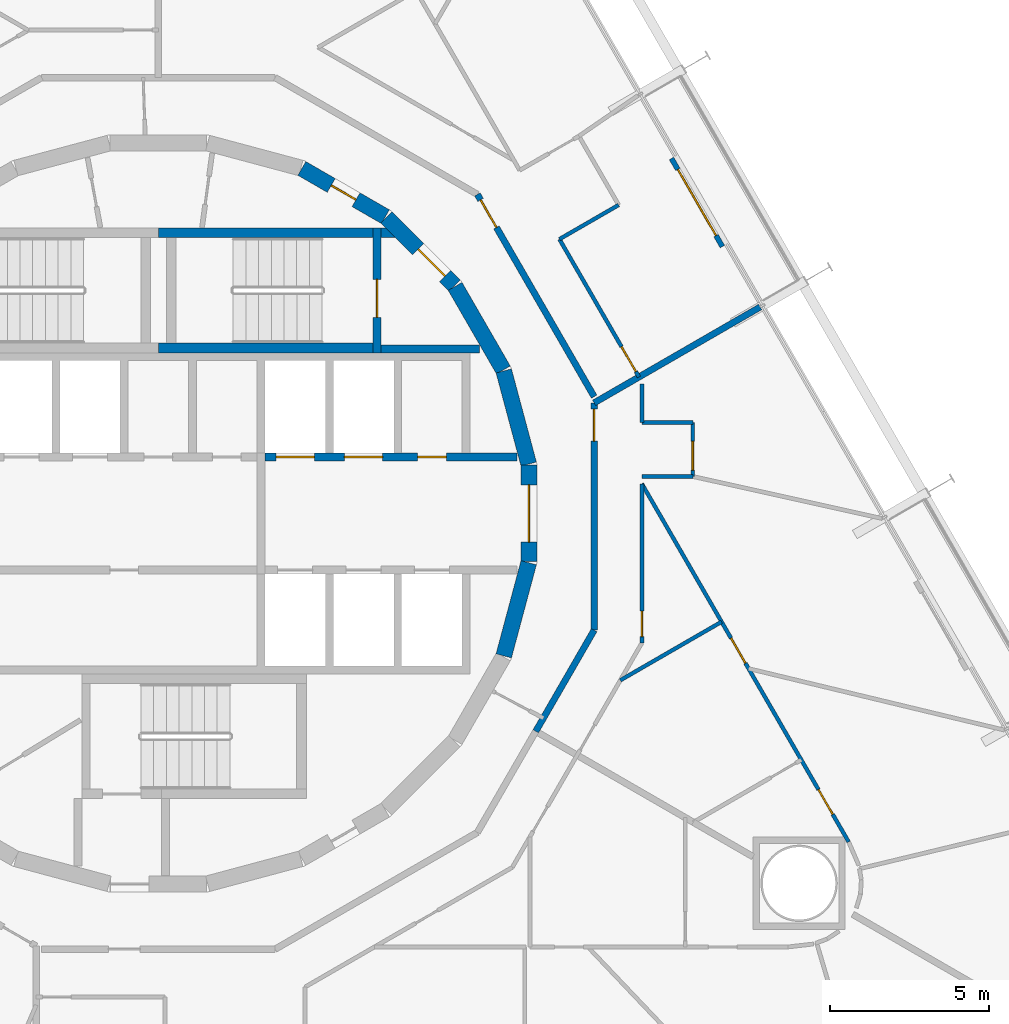
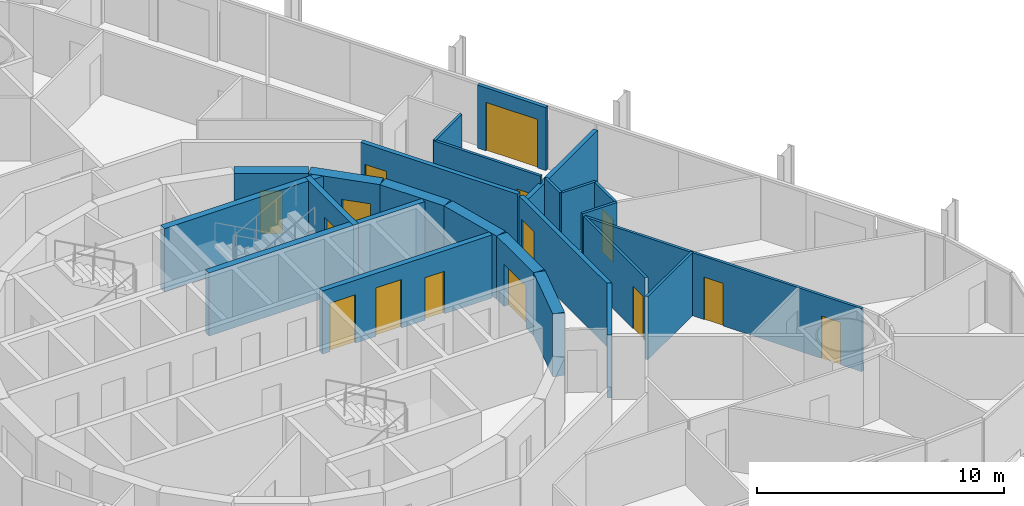
# One storey, part 17 of 21: 26 walls, 15 doors, 15 openings.
"""IFC4 building model written with IfcOpenShell, lengths in metres."""

from ifc_helpers import new_model, si_unit, direction, frame, frame_2d, origin, place, context, subcontext, project, spatial, polyline, rectangle, outline, extrude, material, layer, layer_set, type_object, element, fill, save


model = new_model("IFC4")

# Units and contexts
model_context = context("Model", 3, precision=1e-05, world=origin(), true_north=direction((0.0, 1.0)))
body_context = subcontext(model_context, "Body", "Model", "MODEL_VIEW")
ifc_project = project(units=[si_unit("LENGTHUNIT", "METRE"), si_unit("AREAUNIT", "SQUARE_METRE"), si_unit("VOLUMEUNIT", "CUBIC_METRE"), si_unit("PLANEANGLEUNIT", "RADIAN"), si_unit("MASSUNIT", "GRAM", prefix="KILO")], contexts=[model_context])

# Site, building, storey
site_placement = place(None, origin())
site = spatial("IfcSite", under=ifc_project, at=site_placement, CompositionType="ELEMENT")
building_placement = place(site_placement, origin())
building = spatial("IfcBuilding", under=site, at=building_placement, Name="Spindle Arch Residences", CompositionType="ELEMENT")
storey_placement = place(building_placement, frame((0.0, 0.0, 48.89990234375)))
storey = spatial("IfcBuildingStorey", under=building, at=storey_placement, Name="L10", CompositionType="ELEMENT", Elevation=48.89990234375)

# Wall
ifc_material_1 = material(Name="Concrete C50/60", Category="concrete")
ifc_layer_1 = layer(ifc_material_1, 0.5)
ifc_layer_set_1 = layer_set([ifc_layer_1], Name="Core outline wall 500")
wall_type_1 = type_object("IfcWallType", Name="Core outline wall 500", PredefinedType="SHEAR", material=ifc_layer_set_1)
wall_1_placement = place(storey_placement, frame((10.858154296875, -4.479248046875, 0.0), z_axis=(0.0, 0.0, 1.0), x_axis=(0.258734743916, 0.965948410781, 0.0)))
element("IfcWall", 1, at=wall_1_placement, inside=storey, type_object=wall_type_1, Name="Core outline wall 5", PredefinedType="SHEAR", context=body_context, shape_type="SweptSolid", body=[
    extrude(rectangle(XDim=3.03271484375, YDim=0.5, at=frame_2d((1.516357421875, 0.0))), origin(), (0.0, 0.0, 1.0), 3.1201171875),
])

# Wall, opening, door
wall_2_placement = place(storey_placement, frame((11.647216796875, -1.516357421875, 0.0), z_axis=(0.0, 0.0, 1.0), x_axis=(0.0, 1.0, 0.0)))
wall_2 = element("IfcWall", 2, at=wall_2_placement, inside=storey, type_object=wall_type_1, Name="Core outline wall 6", PredefinedType="SHEAR", context=body_context, shape_type="SweptSolid", body=[
    extrude(rectangle(XDim=3.03271484375, YDim=0.5, at=frame_2d((1.516357421875, 0.0))), origin(), (0.0, 0.0, 1.0), 3.1201171875),
])
opening_1_placement = place(wall_2_placement, frame((0.6162109375, 0.0, 0.0)))
opening_1 = element("IfcOpeningElement", 3, at=opening_1_placement, cuts=wall_2, Name="Opening R1B1-FE01", PredefinedType="OPENING", context=body_context, shape_type="SweptSolid", body=[
    extrude(rectangle(XDim=1.800048828125, YDim=2.10009765625, at=frame_2d((0.89990234375, 1.050048828125))), frame((0.0, 0.260009765625, 0.0), z_axis=(0.0, -1.0, 0.0), x_axis=(1.0, 0.0, 0.0)), (0.0, 0.0, 1.0), 0.52001953125),
])
ifc_material_2 = material(Name="Steel, fire-resisting door", Category="steel")
door_type_1 = type_object("IfcDoorType", Name="Fire-lift lobby door 1800x2100", OperationType="DOUBLE_DOOR_SINGLE_SWING", PredefinedType="DOOR", material=ifc_material_2)
door_1_placement = place(opening_1_placement, origin())
door_1 = element("IfcDoor", 4, at=door_1_placement, inside=storey, type_object=door_type_1, Name="Fire-lift lobby door R1B1-FE01", OperationType="DOUBLE_DOOR_SINGLE_SWING", OverallHeight=2.10009765625, OverallWidth=1.800048828125, PredefinedType="DOOR", context=body_context, shape_type="SweptSolid", body=[
    extrude(rectangle(XDim=1.800048828125, YDim=2.10009765625, at=frame_2d((0.89990234375, 1.050048828125))), frame((0.0, 0.02490234375, 0.0), z_axis=(0.0, -1.0, 0.0), x_axis=(1.0, 0.0, 0.0)), (0.0, 0.0, 1.0), 0.050048828125),
])
fill(opening_1, door_1)

# Walls
for number, where, z_axis, x_axis, name in (
    (5, (11.642822265625, 1.5498046875, 0.0), (0.0, 0.0, 1.0), (-0.258734743916, 0.965948410781, 0.0), "Core outline wall 7"),
    (6, (10.84521484375, 4.510498046875, 0.0), (0.0, 0.0, 1.0), (-0.500087131594, 0.865975092491, 0.0), "Core outline wall 8"),
):
    element("IfcWall", number, at=place(storey_placement, frame(where, z_axis=z_axis, x_axis=x_axis)), inside=storey, type_object=wall_type_1, Name=name, PredefinedType="SHEAR", context=body_context, shape_type="SweptSolid", body=[
        extrude(rectangle(XDim=3.03271484375, YDim=0.5, at=frame_2d((1.516357421875, 0.0))), origin(), (0.0, 0.0, 1.0), 3.1201171875),
    ])

# Wall, opening, door
wall_3_placement = place(storey_placement, frame((9.30810546875, 7.163818359375, 0.0), z_axis=(0.0, 0.0, 1.0), x_axis=(-0.707106781187, 0.707106781187, 0.0)))
wall_3 = element("IfcWall", 7, at=wall_3_placement, inside=storey, type_object=wall_type_1, Name="Core outline wall 9", PredefinedType="SHEAR", context=body_context, shape_type="SweptSolid", body=[
    extrude(rectangle(XDim=3.032470703125, YDim=0.5, at=frame_2d((1.51611328125, 0.0))), origin(), (0.0, 0.0, 1.0), 3.1201171875),
])
opening_2_placement = place(wall_3_placement, frame((0.416259765625, 0.0, 0.0)))
opening_2 = element("IfcOpeningElement", 8, at=opening_2_placement, cuts=wall_3, Name="Opening R1B1-AD01", PredefinedType="OPENING", context=body_context, shape_type="SweptSolid", body=[
    extrude(rectangle(XDim=1.199951171875, YDim=2.10009765625, at=frame_2d((0.60009765625, 1.050048828125))), frame((0.0, 0.260009765625, 0.0), z_axis=(0.0, -1.0, 0.0), x_axis=(1.0, 0.0, 0.0)), (0.0, 0.0, 1.0), 0.52001953125),
])
ifc_material_3 = material(Name="Steel, fire-resisting door", Category="steel")
door_type_2 = type_object("IfcDoorType", Name="Stair airlock door 1200x2100", OperationType="SINGLE_SWING_LEFT", PredefinedType="DOOR", material=ifc_material_3)
door_2_placement = place(opening_2_placement, origin())
door_2 = element("IfcDoor", 9, at=door_2_placement, inside=storey, type_object=door_type_2, Name="Stair airlock door R1B1-AD01", OperationType="SINGLE_SWING_RIGHT", OverallHeight=2.10009765625, OverallWidth=1.199951171875, PredefinedType="DOOR", context=body_context, shape_type="SweptSolid", body=[
    extrude(rectangle(XDim=1.199951171875, YDim=2.10009765625, at=frame_2d((0.60009765625, 1.050048828125))), frame((0.0, 0.02490234375, 0.0), z_axis=(0.0, -1.0, 0.0), x_axis=(1.0, 0.0, 0.0)), (0.0, 0.0, 1.0), 0.050048828125),
])
fill(opening_2, door_2)

wall_4_placement = place(storey_placement, frame((7.13671875, 9.32861328125, 0.0), z_axis=(0.0, 0.0, 1.0), x_axis=(-0.865975092491, 0.500087131594, 0.0)))
wall_4 = element("IfcWall", 10, at=wall_4_placement, inside=storey, type_object=wall_type_1, Name="Core outline wall 10", PredefinedType="SHEAR", context=body_context, shape_type="SweptSolid", body=[
    extrude(rectangle(XDim=3.03271484375, YDim=0.5, at=frame_2d((1.516357421875, 0.0))), origin(), (0.0, 0.0, 1.0), 3.1201171875),
])
opening_3_placement = place(wall_4_placement, frame((1.06640625, 0.0, 0.0)))
opening_3 = element("IfcOpeningElement", 11, at=opening_3_placement, cuts=wall_4, Name="Opening R1B1-WD10", PredefinedType="OPENING", context=body_context, shape_type="SweptSolid", body=[
    extrude(rectangle(XDim=0.89990234375, YDim=2.10009765625, at=frame_2d((0.449951171875, 1.050048828125))), frame((0.0, 0.260009765625, 0.0), z_axis=(0.0, -1.0, 0.0), x_axis=(1.0, 0.0, 0.0)), (0.0, 0.0, 1.0), 0.52001953125),
])
ifc_material_4 = material(Name="Steel, fire-resisting door", Category="steel")
door_type_3 = type_object("IfcDoorType", Name="Service room door 900x2100", OperationType="SINGLE_SWING_LEFT", PredefinedType="DOOR", material=ifc_material_4)
door_3_placement = place(opening_3_placement, origin())
door_3 = element("IfcDoor", 12, at=door_3_placement, inside=storey, type_object=door_type_3, Name="Service room door R1B1-WD10", OperationType="SINGLE_SWING_LEFT", OverallHeight=2.10009765625, OverallWidth=0.89990234375, PredefinedType="DOOR", context=body_context, shape_type="SweptSolid", body=[
    extrude(rectangle(XDim=0.89990234375, YDim=2.10009765625, at=frame_2d((0.449951171875, 1.050048828125))), frame((0.0, 0.02490234375, 0.0), z_axis=(0.0, -1.0, 0.0), x_axis=(1.0, 0.0, 0.0)), (0.0, 0.0, 1.0), 0.050048828125),
])
fill(opening_3, door_3)

ifc_material_5 = material(Name="Calcium silicate block, plastered")
ifc_layer_2 = layer(ifc_material_5, 0.199951171875)
ifc_layer_set_2 = layer_set([ifc_layer_2], Name="Corridor wall 200")
wall_type_2 = type_object("IfcWallType", Name="Corridor wall 200", PredefinedType="STANDARD", material=ifc_layer_set_2)
wall_5_placement = place(storey_placement, frame((13.699951171875, 3.6708984375, 0.0), z_axis=(0.0, 0.0, 1.0), x_axis=(-0.500001669485, 0.866024439905, 0.0)))
wall_5 = element("IfcWall", 13, at=wall_5_placement, inside=storey, type_object=wall_type_2, Name="Corridor wall R1B1-W004", PredefinedType="STANDARD", context=body_context, shape_type="SweptSolid", body=[
    extrude(rectangle(XDim=7.341796875, YDim=0.199951171875, at=frame_2d((3.6708984375, 0.0))), origin(), (0.0, 0.0, 1.0), 3.1201171875),
])
opening_4_placement = place(wall_5_placement, frame((6.141845703125, 0.0, 0.0)))
opening_4 = element("IfcOpeningElement", 14, at=opening_4_placement, cuts=wall_5, Name="Opening R1B1-FD01", PredefinedType="OPENING", context=body_context, shape_type="SweptSolid", body=[
    extrude(rectangle(XDim=1.0, YDim=2.10009765625, at=frame_2d((0.5, 1.050048828125))), frame((0.0, 0.10986328125, 0.0), z_axis=(0.0, -1.0, 0.0), x_axis=(1.0, 0.0, 0.0)), (0.0, 0.0, 1.0), 0.219970703125),
])
ifc_material_6 = material(Name="Timber, fire-resisting door set", Category="wood")
door_type_4 = type_object("IfcDoorType", Name="Flat entrance door 1000x2100", OperationType="NOTDEFINED", PredefinedType="DOOR", material=ifc_material_6)
door_4_placement = place(opening_4_placement, origin())
door_4 = element("IfcDoor", 15, at=door_4_placement, inside=storey, type_object=door_type_4, Name="Flat entrance door R1B1-FD01", OperationType="SINGLE_SWING_RIGHT", OverallHeight=2.10009765625, OverallWidth=1.0, PredefinedType="DOOR", context=body_context, shape_type="SweptSolid", body=[
    extrude(rectangle(XDim=1.0, YDim=2.10009765625, at=frame_2d((0.5, 1.050048828125))), frame((0.0, 0.02490234375, 0.0), z_axis=(0.0, -1.0, 0.0), x_axis=(1.0, 0.0, 0.0)), (0.0, 0.0, 1.0), 0.050048828125),
])
fill(opening_4, door_4)

# Wall
wall_6_placement = place(storey_placement, frame((11.864501953125, -6.85009765625, 0.0), z_axis=(0.0, 0.0, 1.0), x_axis=(0.499987270552, 0.86603275301, 0.0)))
element("IfcWall", 16, at=wall_6_placement, inside=storey, type_object=wall_type_2, Name="Corridor wall R1B1-W007", PredefinedType="STANDARD", context=body_context, shape_type="SweptSolid", body=[
    extrude(rectangle(XDim=3.6708984375, YDim=0.199951171875, at=frame_2d((1.83544921875, 0.0))), origin(), (0.0, 0.0, 1.0), 3.1201171875),
])

# Wall, opening, door
wall_7_placement = place(storey_placement, frame((13.699951171875, -3.6708984375, 0.0), z_axis=(0.0, 0.0, 1.0), x_axis=(0.0, 1.0, 0.0)))
wall_7 = element("IfcWall", 17, at=wall_7_placement, inside=storey, type_object=wall_type_2, Name="Corridor wall R1B1-W008", PredefinedType="STANDARD", context=body_context, shape_type="SweptSolid", body=[
    extrude(rectangle(XDim=7.146484375, YDim=0.199951171875, at=frame_2d((3.5732421875, 0.0))), origin(), (0.0, 0.0, 1.0), 3.1201171875),
])
opening_5_placement = place(wall_7_placement, frame((5.946533203125, 0.0, 0.0)))
opening_5 = element("IfcOpeningElement", 18, at=opening_5_placement, cuts=wall_7, Name="Opening R1B1-FD06", PredefinedType="OPENING", context=body_context, shape_type="SweptSolid", body=[
    extrude(rectangle(XDim=1.0, YDim=2.10009765625, at=frame_2d((0.5, 1.050048828125))), frame((0.0, 0.10986328125, 0.0), z_axis=(0.0, -1.0, 0.0), x_axis=(1.0, 0.0, 0.0)), (0.0, 0.0, 1.0), 0.219970703125),
])
door_5_placement = place(opening_5_placement, origin())
door_5 = element("IfcDoor", 19, at=door_5_placement, inside=storey, type_object=door_type_4, Name="Flat entrance door R1B1-FD06", OperationType="SINGLE_SWING_LEFT", OverallHeight=2.10009765625, OverallWidth=1.0, PredefinedType="DOOR", context=body_context, shape_type="SweptSolid", body=[
    extrude(rectangle(XDim=1.0, YDim=2.10009765625, at=frame_2d((0.5, 1.050048828125))), frame((0.0, 0.02490234375, 0.0), z_axis=(0.0, -1.0, 0.0), x_axis=(1.0, 0.0, 0.0)), (0.0, 0.0, 1.0), 0.050048828125),
])
fill(opening_5, door_5)

# Wall, openings, doors
ifc_material_7 = material(Name="Concrete C40/50", Category="concrete")
ifc_layer_3 = layer(ifc_material_7, 0.25)
ifc_layer_set_3 = layer_set([ifc_layer_3], Name="Fire-lift lobby wall 250")
wall_type_3 = type_object("IfcWallType", Name="Fire-lift lobby wall 250", PredefinedType="SHEAR", material=ifc_layer_set_3)
wall_8_placement = place(storey_placement, frame((3.35009765625, 1.77490234375, 0.0), z_axis=(0.0, 0.0, 1.0), x_axis=(1.0, 0.0, 0.0)))
wall_8 = element("IfcWall", 20, at=wall_8_placement, inside=storey, type_object=wall_type_3, Name="Lift shaft front wall NE", PredefinedType="SHEAR", context=body_context, shape_type="SweptSolid", body=[
    extrude(rectangle(XDim=7.929931640625, YDim=0.25, at=frame_2d((3.96484375, 0.0))), origin(), (0.0, 0.0, 1.0), 3.1201171875),
])
opening_6_placement = place(wall_8_placement, frame((0.35009765625, 0.0, 0.0)))
opening_6 = element("IfcOpeningElement", 21, at=opening_6_placement, cuts=wall_8, Name="Opening R1B1-SLD01", PredefinedType="OPENING", context=body_context, shape_type="SweptSolid", body=[
    extrude(rectangle(XDim=1.199951171875, YDim=2.39990234375, at=frame_2d((0.60009765625, 1.199951171875))), frame((0.0, 0.135009765625, 0.0), z_axis=(0.0, -1.0, 0.0), x_axis=(1.0, 0.0, 0.0)), (0.0, 0.0, 1.0), 0.27001953125),
])
opening_7_placement = place(wall_8_placement, frame((2.5, 0.0, 0.0)))
opening_7 = element("IfcOpeningElement", 22, at=opening_7_placement, cuts=wall_8, Name="Opening R1B1-SLD02", PredefinedType="OPENING", context=body_context, shape_type="SweptSolid", body=[
    extrude(rectangle(XDim=1.199951171875, YDim=2.39990234375, at=frame_2d((0.60009765625, 1.199951171875))), frame((0.0, 0.135009765625, 0.0), z_axis=(0.0, -1.0, 0.0), x_axis=(1.0, 0.0, 0.0)), (0.0, 0.0, 1.0), 0.27001953125),
])
opening_8_placement = place(wall_8_placement, frame((4.800048828125, 0.0, 0.0)))
opening_8 = element("IfcOpeningElement", 23, at=opening_8_placement, cuts=wall_8, Name="Opening R1B1-WD03", PredefinedType="OPENING", context=body_context, shape_type="SweptSolid", body=[
    extrude(rectangle(XDim=0.89990234375, YDim=2.10009765625, at=frame_2d((0.449951171875, 1.050048828125))), frame((0.0, 0.135009765625, 0.0), z_axis=(0.0, -1.0, 0.0), x_axis=(1.0, 0.0, 0.0)), (0.0, 0.0, 1.0), 0.27001953125),
])
ifc_material_8 = material(Name="Steel, fire-resisting landing door", Category="steel")
door_type_5 = type_object("IfcDoorType", Name="Service lift landing door 1200x2400", OperationType="DOUBLE_DOOR_SLIDING", PredefinedType="DOOR", material=ifc_material_8)
door_6_placement = place(opening_6_placement, origin())
door_6 = element("IfcDoor", 24, at=door_6_placement, inside=storey, type_object=door_type_5, Name="Service lift landing door R1B1-SLD01", OperationType="DOUBLE_DOOR_SLIDING", OverallHeight=2.39990234375, OverallWidth=1.199951171875, PredefinedType="DOOR", context=body_context, shape_type="SweptSolid", body=[
    extrude(rectangle(XDim=1.199951171875, YDim=2.39990234375, at=frame_2d((0.60009765625, 1.199951171875))), frame((0.0, 0.02490234375, 0.0), z_axis=(0.0, -1.0, 0.0), x_axis=(1.0, 0.0, 0.0)), (0.0, 0.0, 1.0), 0.050048828125),
])
fill(opening_6, door_6)
door_7_placement = place(opening_7_placement, origin())
door_7 = element("IfcDoor", 25, at=door_7_placement, inside=storey, type_object=door_type_5, Name="Service lift landing door R1B1-SLD02", OperationType="DOUBLE_DOOR_SLIDING", OverallHeight=2.39990234375, OverallWidth=1.199951171875, PredefinedType="DOOR", context=body_context, shape_type="SweptSolid", body=[
    extrude(rectangle(XDim=1.199951171875, YDim=2.39990234375, at=frame_2d((0.60009765625, 1.199951171875))), frame((0.0, 0.02490234375, 0.0), z_axis=(0.0, -1.0, 0.0), x_axis=(1.0, 0.0, 0.0)), (0.0, 0.0, 1.0), 0.050048828125),
])
fill(opening_7, door_7)
door_8_placement = place(opening_8_placement, origin())
door_8 = element("IfcDoor", 26, at=door_8_placement, inside=storey, type_object=door_type_3, Name="Service room door R1B1-WD03", OperationType="SINGLE_SWING_RIGHT", OverallHeight=2.10009765625, OverallWidth=0.89990234375, PredefinedType="DOOR", context=body_context, shape_type="SweptSolid", body=[
    extrude(rectangle(XDim=0.89990234375, YDim=2.10009765625, at=frame_2d((0.449951171875, 1.050048828125))), frame((0.0, 0.02490234375, 0.0), z_axis=(0.0, -1.0, 0.0), x_axis=(1.0, 0.0, 0.0)), (0.0, 0.0, 1.0), 0.050048828125),
])
fill(opening_8, door_8)

# Wall, opening, door
ifc_material_9 = material(Name="Plasterboard on steel studs", Category="steel")
ifc_layer_4 = layer(ifc_material_9, 0.1201171875)
ifc_layer_set_4 = layer_set([ifc_layer_4], Name="Flat partition 120")
wall_type_4 = type_object("IfcWallType", Name="Flat partition 120", PredefinedType="PARTITIONING", material=ifc_layer_set_4)
wall_9_placement = place(storey_placement, frame((15.109619140625, 4.289306640625, 0.0), z_axis=(0.0, 0.0, 1.0), x_axis=(-0.500033654285, 0.866005972602, 0.0)))
wall_9 = element("IfcWall", 27, at=wall_9_placement, inside=storey, type_object=wall_type_4, Name="Flat partition R1B1-W029", PredefinedType="PARTITIONING", context=body_context, shape_type="SweptSolid", body=[
    extrude(rectangle(XDim=5.002685546875, YDim=0.1201171875, at=frame_2d((2.50146484375, 0.0))), origin(), (0.0, 0.0, 1.0), 3.1201171875),
])
opening_9_placement = place(wall_9_placement, frame((0.199951171875, 0.0, 0.0)))
opening_9 = element("IfcOpeningElement", 28, at=opening_9_placement, cuts=wall_9, Name="Opening R1B1-ID01", PredefinedType="OPENING", context=body_context, shape_type="SweptSolid", body=[
    extrude(rectangle(XDim=0.89990234375, YDim=2.10009765625, at=frame_2d((0.449951171875, 1.050048828125))), frame((0.0, 0.070068359375, 0.0), z_axis=(0.0, -1.0, 0.0), x_axis=(1.0, 0.0, 0.0)), (0.0, 0.0, 1.0), 0.14013671875),
])
ifc_material_10 = material(Name="Timber door set", Category="wood")
door_type_6 = type_object("IfcDoorType", Name="Room door 900x2100", OperationType="NOTDEFINED", PredefinedType="DOOR", material=ifc_material_10)
door_9_placement = place(opening_9_placement, origin())
door_9 = element("IfcDoor", 29, at=door_9_placement, inside=storey, type_object=door_type_6, Name="Room door R1B1-ID01", OperationType="SINGLE_SWING_LEFT", OverallHeight=2.10009765625, OverallWidth=0.89990234375, PredefinedType="DOOR", context=body_context, shape_type="SweptSolid", body=[
    extrude(rectangle(XDim=0.89990234375, YDim=2.10009765625, at=frame_2d((0.449951171875, 1.050048828125))), frame((0.0, 0.02490234375, 0.0), z_axis=(0.0, -1.0, 0.0), x_axis=(1.0, 0.0, 0.0)), (0.0, 0.0, 1.0), 0.050048828125),
])
fill(opening_9, door_9)

# Wall
wall_10_placement = place(storey_placement, frame((12.608154296875, 8.62158203125, 0.0), z_axis=(0.0, 0.0, 1.0), x_axis=(0.866005997533, 0.500033611107, 0.0)))
element("IfcWall", 30, at=wall_10_placement, inside=storey, type_object=wall_type_4, Name="Flat partition R1B1-W030", PredefinedType="PARTITIONING", context=body_context, shape_type="SweptSolid", body=[
    extrude(rectangle(XDim=2.150634765625, YDim=0.1201171875, at=frame_2d((1.0751953125, 0.0))), origin(), (0.0, 0.0, 1.0), 3.1201171875),
])

# Wall, opening, door
wall_11_placement = place(storey_placement, frame((16.80029296875, 1.16162109375, 0.0), z_axis=(0.0, 0.0, 1.0), x_axis=(0.0, 1.0, 0.0)))
wall_11 = element("IfcWall", 31, at=wall_11_placement, inside=storey, type_object=wall_type_4, Name="Flat partition R1B1-W111", PredefinedType="PARTITIONING", context=body_context, shape_type="SweptSolid", body=[
    extrude(rectangle(XDim=1.7001953125, YDim=0.1201171875, at=frame_2d((0.85009765625, 0.0))), origin(), (0.0, 0.0, 1.0), 3.1201171875),
])
opening_10_placement = place(wall_11_placement, frame((0.199951171875, 0.0, 0.0)))
opening_10 = element("IfcOpeningElement", 32, at=opening_10_placement, cuts=wall_11, Name="Opening R1B1-ID31", PredefinedType="OPENING", context=body_context, shape_type="SweptSolid", body=[
    extrude(rectangle(XDim=0.89990234375, YDim=2.10009765625, at=frame_2d((0.449951171875, 1.050048828125))), frame((0.0, 0.070068359375, 0.0), z_axis=(0.0, -1.0, 0.0), x_axis=(1.0, 0.0, 0.0)), (0.0, 0.0, 1.0), 0.14013671875),
])
door_10_placement = place(opening_10_placement, origin())
door_10 = element("IfcDoor", 33, at=door_10_placement, inside=storey, type_object=door_type_6, Name="Room door R1B1-ID31", OperationType="SINGLE_SWING_LEFT", OverallHeight=2.10009765625, OverallWidth=0.89990234375, PredefinedType="DOOR", context=body_context, shape_type="SweptSolid", body=[
    extrude(rectangle(XDim=0.89990234375, YDim=2.10009765625, at=frame_2d((0.449951171875, 1.050048828125))), frame((0.0, 0.02490234375, 0.0), z_axis=(0.0, -1.0, 0.0), x_axis=(1.0, 0.0, 0.0)), (0.0, 0.0, 1.0), 0.050048828125),
])
fill(opening_10, door_10)

# Walls
wall_12_placement = place(storey_placement, frame((16.80029296875, 2.86181640625, 0.0), z_axis=(0.0, 0.0, 1.0), x_axis=(-1.0, 0.0, 0.0)))
element("IfcWall", 34, at=wall_12_placement, inside=storey, type_object=wall_type_4, Name="Flat partition R1B1-W112", PredefinedType="PARTITIONING", context=body_context, shape_type="SweptSolid", body=[
    extrude(rectangle(XDim=1.600341796875, YDim=0.1201171875, at=frame_2d((0.80029296875, 0.0))), origin(), (0.0, 0.0, 1.0), 3.1201171875),
])
wall_13_placement = place(storey_placement, frame((15.199951171875, 2.86181640625, 0.0), z_axis=(0.0, 0.0, 1.0), x_axis=(0.0, 1.0, 0.0)))
element("IfcWall", 35, at=wall_13_placement, inside=storey, type_object=wall_type_4, Name="Flat partition R1B1-W113", PredefinedType="PARTITIONING", context=body_context, shape_type="SweptSolid", body=[
    extrude(rectangle(XDim=1.2109375, YDim=0.1201171875, at=frame_2d((0.60546875, 0.0))), origin(), (0.0, 0.0, 1.0), 3.1201171875),
])

# Wall, opening, door
wall_14_placement = place(storey_placement, frame((15.199951171875, -4.07275390625, 0.0), z_axis=(0.0, 0.0, 1.0), x_axis=(0.0, 1.0, 0.0)))
wall_14 = element("IfcWall", 36, at=wall_14_placement, inside=storey, type_object=wall_type_4, Name="Flat partition R1B1-W114", PredefinedType="PARTITIONING", context=body_context, shape_type="SweptSolid", body=[
    extrude(rectangle(XDim=5.00537109375, YDim=0.1201171875, at=frame_2d((2.502685546875, 0.0))), origin(), (0.0, 0.0, 1.0), 3.1201171875),
])
opening_11_placement = place(wall_14_placement, frame((0.199951171875, 0.0, 0.0)))
opening_11 = element("IfcOpeningElement", 37, at=opening_11_placement, cuts=wall_14, Name="Opening R1B1-BD06", PredefinedType="OPENING", context=body_context, shape_type="SweptSolid", body=[
    extrude(rectangle(XDim=0.800048828125, YDim=2.10009765625, at=frame_2d((0.39990234375, 1.050048828125))), frame((0.0, 0.070068359375, 0.0), z_axis=(0.0, -1.0, 0.0), x_axis=(1.0, 0.0, 0.0)), (0.0, 0.0, 1.0), 0.14013671875),
])
ifc_material_11 = material(Name="Timber door set", Category="wood")
door_type_7 = type_object("IfcDoorType", Name="Bathroom door 800x2100", OperationType="NOTDEFINED", PredefinedType="DOOR", material=ifc_material_11)
door_11_placement = place(opening_11_placement, origin())
door_11 = element("IfcDoor", 38, at=door_11_placement, inside=storey, type_object=door_type_7, Name="Bathroom door R1B1-BD06", OperationType="SINGLE_SWING_LEFT", OverallHeight=2.10009765625, OverallWidth=0.800048828125, PredefinedType="DOOR", context=body_context, shape_type="SweptSolid", body=[
    extrude(rectangle(XDim=0.800048828125, YDim=2.10009765625, at=frame_2d((0.39990234375, 1.050048828125))), frame((0.0, 0.02490234375, 0.0), z_axis=(0.0, -1.0, 0.0), x_axis=(1.0, 0.0, 0.0)), (0.0, 0.0, 1.0), 0.050048828125),
])
fill(opening_11, door_11)

# Wall
wall_15_placement = place(storey_placement, frame((15.199951171875, 1.16162109375, 0.0), z_axis=(0.0, 0.0, 1.0), x_axis=(1.0, 0.0, 0.0)))
element("IfcWall", 39, at=wall_15_placement, inside=storey, type_object=wall_type_4, Name="Flat partition R1B1-W115", PredefinedType="PARTITIONING", context=body_context, shape_type="SweptSolid", body=[
    extrude(rectangle(XDim=1.600341796875, YDim=0.1201171875, at=frame_2d((0.80029296875, 0.0))), origin(), (0.0, 0.0, 1.0), 3.1201171875),
])

# Wall, openings, doors
wall_16_placement = place(storey_placement, frame((21.700927734375, -10.3271484375, 0.0), z_axis=(0.0, 0.0, 1.0), x_axis=(-0.500008528526, 0.866020479782, 0.0)))
wall_16 = element("IfcWall", 40, at=wall_16_placement, inside=storey, type_object=wall_type_4, Name="Flat partition R1B1-W122", PredefinedType="PARTITIONING", context=body_context, shape_type="SweptSolid", body=[
    extrude(rectangle(XDim=13.001708984375, YDim=0.1201171875, at=frame_2d((6.5009765625, 0.0))), origin(), (0.0, 0.0, 1.0), 3.1201171875),
])
opening_12_placement = place(wall_16_placement, frame((6.490478515625, 0.0, 0.0)))
opening_12 = element("IfcOpeningElement", 41, at=opening_12_placement, cuts=wall_16, Name="Opening R1B1-ID33", PredefinedType="OPENING", context=body_context, shape_type="SweptSolid", body=[
    extrude(rectangle(XDim=0.89990234375, YDim=2.10009765625, at=frame_2d((0.449951171875, 1.050048828125))), frame((0.0, 0.070068359375, 0.0), z_axis=(0.0, -1.0, 0.0), x_axis=(1.0, 0.0, 0.0)), (0.0, 0.0, 1.0), 0.14013671875),
])
opening_13_placement = place(wall_16_placement, frame((1.0, 0.0, 0.0)))
opening_13 = element("IfcOpeningElement", 42, at=opening_13_placement, cuts=wall_16, Name="Opening R1B1-ID35", PredefinedType="OPENING", context=body_context, shape_type="SweptSolid", body=[
    extrude(rectangle(XDim=0.89990234375, YDim=2.10009765625, at=frame_2d((0.449951171875, 1.050048828125))), frame((0.0, 0.070068359375, 0.0), z_axis=(0.0, -1.0, 0.0), x_axis=(1.0, 0.0, 0.0)), (0.0, 0.0, 1.0), 0.14013671875),
])
door_12_placement = place(opening_12_placement, origin())
door_12 = element("IfcDoor", 43, at=door_12_placement, inside=storey, type_object=door_type_6, Name="Room door R1B1-ID33", OperationType="SINGLE_SWING_LEFT", OverallHeight=2.10009765625, OverallWidth=0.89990234375, PredefinedType="DOOR", context=body_context, shape_type="SweptSolid", body=[
    extrude(rectangle(XDim=0.89990234375, YDim=2.10009765625, at=frame_2d((0.449951171875, 1.050048828125))), frame((0.0, 0.02490234375, 0.0), z_axis=(0.0, -1.0, 0.0), x_axis=(1.0, 0.0, 0.0)), (0.0, 0.0, 1.0), 0.050048828125),
])
fill(opening_12, door_12)
door_13_placement = place(opening_13_placement, origin())
door_13 = element("IfcDoor", 44, at=door_13_placement, inside=storey, type_object=door_type_6, Name="Room door R1B1-ID35", OperationType="SINGLE_SWING_LEFT", OverallHeight=2.10009765625, OverallWidth=0.89990234375, PredefinedType="DOOR", context=body_context, shape_type="SweptSolid", body=[
    extrude(rectangle(XDim=0.89990234375, YDim=2.10009765625, at=frame_2d((0.449951171875, 1.050048828125))), frame((0.0, 0.02490234375, 0.0), z_axis=(0.0, -1.0, 0.0), x_axis=(1.0, 0.0, 0.0)), (0.0, 0.0, 1.0), 0.050048828125),
])
fill(opening_13, door_13)

# Walls
wall_17_placement = place(storey_placement, frame((17.7060546875, -3.407958984375, 0.0), z_axis=(0.0, 0.0, 1.0), x_axis=(-0.866027421574, -0.49999650507, 0.0)))
element("IfcWall", 45, at=wall_17_placement, inside=storey, type_object=wall_type_4, Name="Flat partition R1B1-W124", PredefinedType="PARTITIONING", context=body_context, shape_type="SweptSolid", body=[
    extrude(rectangle(XDim=3.67578125, YDim=0.1201171875, at=frame_2d((1.837890625, 0.0))), origin(), (0.0, 0.0, 1.0), 3.1201171875),
])
ifc_material_12 = material(Name="Calcium silicate block, plastered")
ifc_layer_5 = layer(ifc_material_12, 0.199951171875)
ifc_layer_set_5 = layer_set([ifc_layer_5], Name="Flat party wall 200 under beam 2730")
wall_type_5 = type_object("IfcWallType", Name="Flat party wall 200 under beam 2730", PredefinedType="STANDARD", material=ifc_layer_set_5)
wall_18_placement = place(storey_placement, frame((13.699951171875, 3.4755859375, 0.0), z_axis=(0.0, 0.0, 1.0), x_axis=(0.866013584312, 0.500020471368, 0.0)))
element("IfcWall", 46, at=wall_18_placement, inside=storey, type_object=wall_type_5, Name="Flat party wall R1B1-W018", PredefinedType="STANDARD", context=body_context, shape_type="SweptSolid", body=[
    extrude(rectangle(XDim=6.027587890625, YDim=0.199951171875, at=frame_2d((3.013671875, 0.0))), origin(), (0.0, 0.0, 1.0), 2.72998046875),
])

# Wall, opening, door
ifc_material_13 = material(Name="Non-combustible mineral wool insulated aluminium faced external wall (K0)", Category="aluminium")
ifc_layer_6 = layer(ifc_material_13, 0.159912109375)
ifc_layer_set_6 = layer_set([ifc_layer_6], Name="Insulated external wall panel 160")
wall_type_6 = type_object("IfcWallType", Name="Insulated external wall panel 160", PredefinedType="STANDARD", material=ifc_layer_set_6)
wall_19_placement = place(storey_placement, frame((17.730712890625, 8.389404296875, 0.0), z_axis=(0.0, 0.0, 1.0), x_axis=(-0.500028443584, 0.866008981251, 0.0)))
wall_19 = element("IfcWall", 47, at=wall_19_placement, inside=storey, type_object=wall_type_6, Name="External wall L10 bay 8", PredefinedType="STANDARD", context=body_context, shape_type="SweptSolid", body=[
    extrude(rectangle(XDim=3.199951171875, YDim=0.159912109375, at=frame_2d((1.60009765625, 0.0))), origin(), (0.0, 0.0, 1.0), 3.1201171875),
])
opening_14_placement = place(wall_19_placement, frame((0.39990234375, 0.0, 0.0)))
opening_14 = element("IfcOpeningElement", 48, at=opening_14_placement, cuts=wall_19, Name="Opening BD08", PredefinedType="OPENING", context=body_context, shape_type="SweptSolid", body=[
    extrude(rectangle(XDim=2.39990234375, YDim=2.39990234375, at=frame_2d((1.199951171875, 1.199951171875))), frame((0.0, 0.08984375, 0.0), z_axis=(0.0, -1.0, 0.0), x_axis=(1.0, 0.0, 0.0)), (0.0, 0.0, 1.0), 0.179931640625),
])
ifc_material_14 = material(Name="Bronze aluminium frame, tinted double glazing", Category="aluminium")
door_type_8 = type_object("IfcDoorType", Name="Sliding glazed balcony door 2400x2400", OperationType="DOUBLE_DOOR_SLIDING", PredefinedType="DOOR", material=ifc_material_14)
door_14_placement = place(opening_14_placement, origin())
door_14 = element("IfcDoor", 49, at=door_14_placement, inside=storey, type_object=door_type_8, Name="Balcony door BD08", OperationType="DOUBLE_DOOR_SLIDING", OverallHeight=2.39990234375, OverallWidth=2.39990234375, PredefinedType="DOOR", context=body_context, shape_type="SweptSolid", body=[
    extrude(rectangle(XDim=2.39990234375, YDim=2.39990234375, at=frame_2d((1.199951171875, 1.199951171875))), frame((0.0, 0.02490234375, 0.0), z_axis=(0.0, -1.0, 0.0), x_axis=(1.0, 0.0, 0.0)), (0.0, 0.0, 1.0), 0.050048828125),
])
fill(opening_14, door_14)

# Walls
ifc_material_15 = material(Name="Concrete C40/50", Category="concrete")
ifc_layer_7 = layer(ifc_material_15, 0.25)
ifc_layer_set_7 = layer_set([ifc_layer_7], Name="Stair airlock wall 250")
wall_type_7 = type_object("IfcWallType", Name="Stair airlock wall 250", PredefinedType="SHEAR", material=ifc_layer_set_7)
wall_20_placement = place(storey_placement, frame((7.0, 5.175048828125, 0.0), z_axis=(0.0, 0.0, 1.0), x_axis=(1.0, 0.0, 0.0)))
element("IfcWall", 50, at=wall_20_placement, inside=storey, type_object=wall_type_7, Name="Stair ST-1 airlock wall S", PredefinedType="SHEAR", context=body_context, shape_type="SweptSolid", body=[
    extrude(rectangle(XDim=3.10009765625, YDim=0.25, at=frame_2d((1.550048828125, 0.0))), origin(), (0.0, 0.0, 1.0), 3.1201171875),
])
ifc_material_16 = material(Name="Concrete C40/50", Category="concrete")
wall_type_8 = type_object("IfcWallType", Name="Stair airlock wall profile", PredefinedType="SHEAR", material=ifc_material_16)
wall_21_placement = place(storey_placement, origin())
element("IfcWall", 51, at=wall_21_placement, inside=storey, type_object=wall_type_8, Name="Stair ST-1 airlock wall N", PredefinedType="SHEAR", context=body_context, shape_type="SweptSolid", body=[
    extrude(outline(polyline([(7.4482421875, 8.669921875), (7.0, 8.669921875), (7.0, 8.969970703125), (7.148193359375, 8.969970703125), (7.4482421875, 8.669921875)])), origin(), (0.0, 0.0, 1.0), 3.1201171875),
])

# Wall, opening, door
ifc_material_17 = material(Name="Concrete C50/60", Category="concrete")
ifc_layer_8 = layer(ifc_material_17, 0.25)
ifc_layer_set_8 = layer_set([ifc_layer_8], Name="Stair enclosure wall 250")
wall_type_9 = type_object("IfcWallType", Name="Stair enclosure wall 250", PredefinedType="SHEAR", material=ifc_layer_set_8)
wall_22_placement = place(storey_placement, frame((6.875, 5.050048828125, 0.0), z_axis=(0.0, 0.0, 1.0), x_axis=(0.0, 1.0, 0.0)))
wall_22 = element("IfcWall", 52, at=wall_22_placement, inside=storey, type_object=wall_type_9, Name="Stair ST-1 door wall", PredefinedType="SHEAR", context=body_context, shape_type="SweptSolid", body=[
    extrude(rectangle(XDim=3.919921875, YDim=0.25, at=frame_2d((1.9599609375, 0.0))), origin(), (0.0, 0.0, 1.0), 3.1201171875),
])
opening_15_placement = place(wall_22_placement, frame((1.110107421875, 0.0, 0.0)))
opening_15 = element("IfcOpeningElement", 53, at=opening_15_placement, cuts=wall_22, Name="Opening R1B1-SD01", PredefinedType="OPENING", context=body_context, shape_type="SweptSolid", body=[
    extrude(rectangle(XDim=1.199951171875, YDim=2.10009765625, at=frame_2d((0.60009765625, 1.050048828125))), frame((0.0, 0.135009765625, 0.0), z_axis=(0.0, -1.0, 0.0), x_axis=(1.0, 0.0, 0.0)), (0.0, 0.0, 1.0), 0.27001953125),
])
ifc_material_18 = material(Name="Steel, fire-resisting door", Category="steel")
door_type_9 = type_object("IfcDoorType", Name="Stair door 1200x2100", OperationType="SINGLE_SWING_RIGHT", PredefinedType="DOOR", material=ifc_material_18)
door_15_placement = place(opening_15_placement, origin())
door_15 = element("IfcDoor", 54, at=door_15_placement, inside=storey, type_object=door_type_9, Name="Stair door R1B1-SD01", OperationType="SINGLE_SWING_LEFT", OverallHeight=2.10009765625, OverallWidth=1.199951171875, PredefinedType="DOOR", context=body_context, shape_type="SweptSolid", body=[
    extrude(rectangle(XDim=1.199951171875, YDim=2.10009765625, at=frame_2d((0.60009765625, 1.050048828125))), frame((0.0, 0.02490234375, 0.0), z_axis=(0.0, -1.0, 0.0), x_axis=(1.0, 0.0, 0.0)), (0.0, 0.0, 1.0), 0.050048828125),
])
fill(opening_15, door_15)

# Walls
ifc_material_19 = material(Name="Concrete C50/60", Category="concrete")
ifc_layer_9 = layer(ifc_material_19, 0.300048828125)
ifc_layer_set_9 = layer_set([ifc_layer_9], Name="Stair enclosure wall 300")
wall_type_10 = type_object("IfcWallType", Name="Stair enclosure wall 300", PredefinedType="SHEAR", material=ifc_layer_set_9)
for number, where, z_axis, x_axis, name in (
    (55, (0.0, 5.199951171875, 0.0), (0.0, 0.0, 1.0), (1.0, 0.0, 0.0), "Stair ST-1 enclosure wall S"),
    (56, (0.0, 8.820068359375, 0.0), (0.0, 0.0, 1.0), (1.0, 0.0, 0.0), "Stair ST-1 enclosure wall N"),
):
    element("IfcWall", number, at=place(storey_placement, frame(where, z_axis=z_axis, x_axis=x_axis)), inside=storey, type_object=wall_type_10, Name=name, PredefinedType="SHEAR", context=body_context, shape_type="SweptSolid", body=[
        extrude(rectangle(XDim=6.75, YDim=0.300048828125, at=frame_2d((3.375, 0.0))), origin(), (0.0, 0.0, 1.0), 3.1201171875),
    ])

save(model, "model.ifc")
